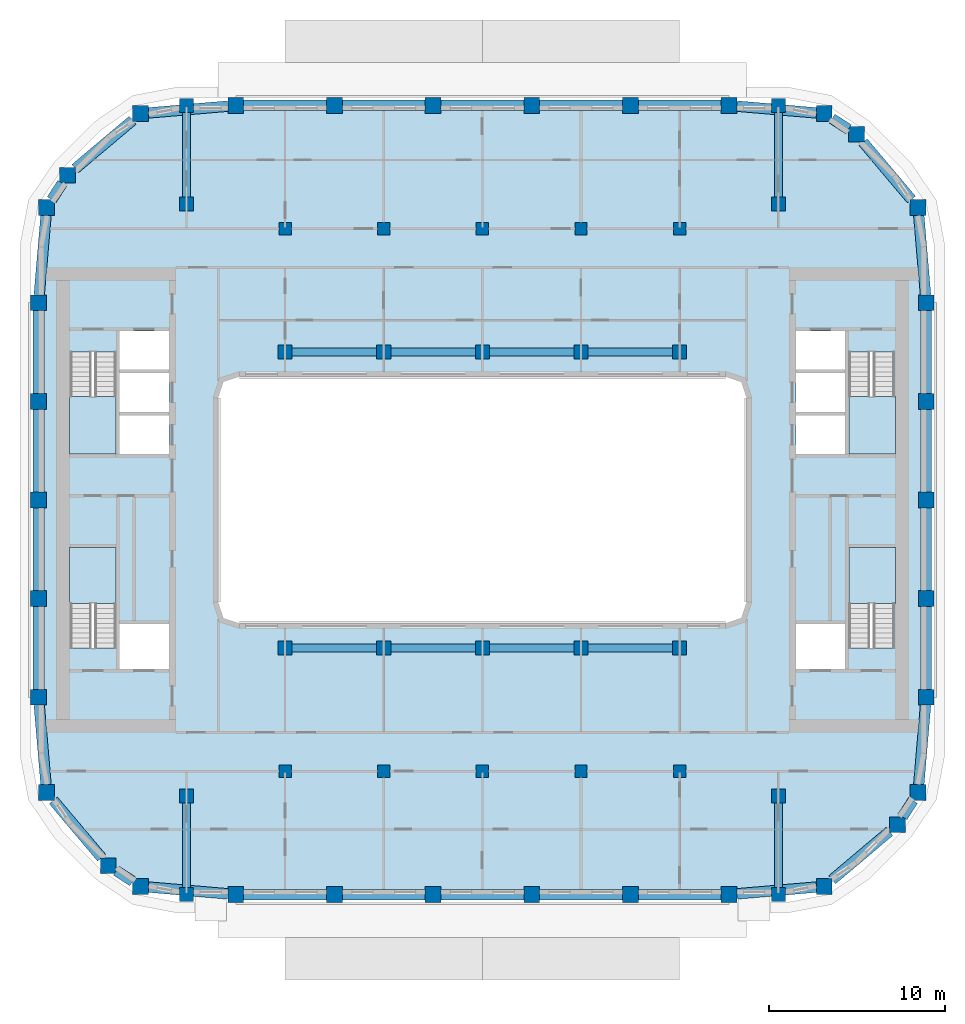
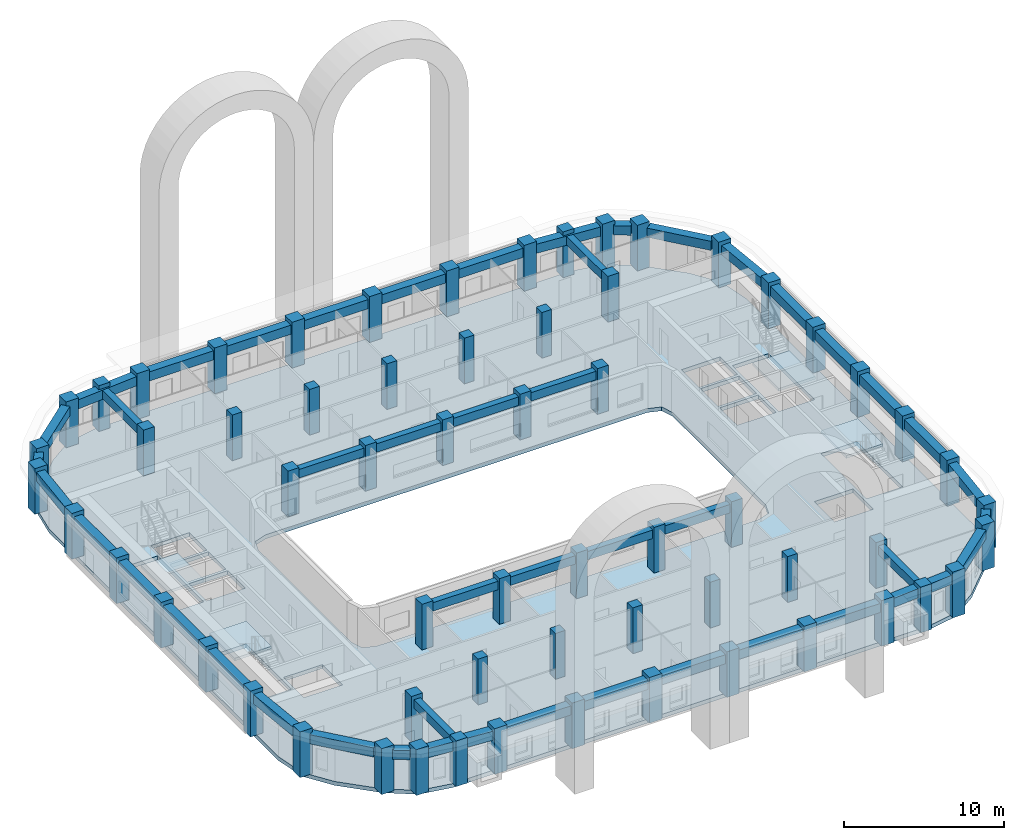
# One storey, part 1 of 18: 62 columns, 46 beams, 5 slabs, 4 elements without a shape of their own.
"""IFC4 building model written with IfcOpenShell, lengths in metres."""

from ifc_helpers import new_model, si_unit, direction, frame, origin, origin_2d, place, context, subcontext, project, spatial, polyline, rectangle, outline, extrude, material, layer, layer_set, material_profile, profile_set, type_object, element, aggregate, save


model = new_model("IFC4")

# Units and contexts
model_context = context("Model", 3, precision=1e-05, world=origin(), true_north=direction((0.0, 1.0)))
body_context = subcontext(model_context, "Body", "Model", "MODEL_VIEW")
ifc_project = project(units=[si_unit("LENGTHUNIT", "METRE"), si_unit("AREAUNIT", "SQUARE_METRE"), si_unit("VOLUMEUNIT", "CUBIC_METRE"), si_unit("PLANEANGLEUNIT", "RADIAN"), si_unit("MASSUNIT", "GRAM", prefix="KILO")], contexts=[model_context])

# Site, building, storey
site_placement = place(None, origin())
site = spatial("IfcSite", under=ifc_project, at=site_placement, CompositionType="ELEMENT")
building_placement = place(site_placement, origin())
building = spatial("IfcBuilding", under=site, at=building_placement, Name="Kiln Ring Residences", CompositionType="ELEMENT")
storey_placement = place(building_placement, frame((0.0, 0.0, 209.89990234375)))
storey = spatial("IfcBuildingStorey", under=building, at=storey_placement, Name="L54", CompositionType="ELEMENT", Elevation=209.89990234375)

# Columns
ifc_material_1 = material(Name="Concrete C70/85", Category="concrete")
ifc_material_profile_1 = material_profile(ifc_material_1, rectangle(XDim=0.699951171875, YDim=0.699951171875, at=origin_2d()), Name="RC700x700")
ifc_profile_set_1 = profile_set([ifc_material_profile_1], Name="Concrete C70/85")
column_type_1 = type_object("IfcColumnType", Name="Corridor column RC700x700 C70/85", PredefinedType="COLUMN", material=ifc_profile_set_1)
for number, where, z_axis, x_axis, name in (
    (1, (-11.199951171875, 15.39990234375, 0.0), (0.0, 0.0, 1.0), (1.0, 0.0, 0.0), "Corridor column L54 1"),
    (2, (-5.60009765625, 15.39990234375, 0.0), (0.0, 0.0, 1.0), (1.0, 0.0, 0.0), "Corridor column L54 2"),
    (3, (0.0, 15.39990234375, 0.0), (0.0, 0.0, 1.0), (1.0, 0.0, 0.0), "Corridor column L54 3"),
    (4, (5.60009765625, 15.39990234375, 0.0), (0.0, 0.0, 1.0), (1.0, 0.0, 0.0), "Corridor column L54 4"),
    (5, (11.199951171875, 15.39990234375, 0.0), (0.0, 0.0, 1.0), (1.0, 0.0, 0.0), "Corridor column L54 5"),
    (6, (-11.199951171875, -15.39990234375, 0.0), (0.0, 0.0, 1.0), (1.0, 0.0, 0.0), "Corridor column L54 6"),
    (7, (-5.60009765625, -15.39990234375, 0.0), (0.0, 0.0, 1.0), (1.0, 0.0, 0.0), "Corridor column L54 7"),
    (8, (0.0, -15.39990234375, 0.0), (0.0, 0.0, 1.0), (1.0, 0.0, 0.0), "Corridor column L54 8"),
    (9, (5.60009765625, -15.39990234375, 0.0), (0.0, 0.0, 1.0), (1.0, 0.0, 0.0), "Corridor column L54 9"),
    (10, (11.199951171875, -15.39990234375, 0.0), (0.0, 0.0, 1.0), (1.0, 0.0, 0.0), "Corridor column L54 10"),
):
    element("IfcColumn", number, at=place(storey_placement, frame(where, z_axis=z_axis, x_axis=x_axis)), inside=storey, type_object=column_type_1, Name=name, PredefinedType="COLUMN", context=body_context, shape_type="SweptSolid", body=[
        extrude(rectangle(XDim=0.699951171875, YDim=0.699951171875, at=origin_2d()), origin(), (0.0, 0.0, 1.0), 3.5),
    ])
ifc_material_2 = material(Name="Concrete C70/85", Category="concrete")
ifc_material_profile_2 = material_profile(ifc_material_2, rectangle(XDim=0.89990234375, YDim=0.89990234375, at=origin_2d()), Name="RC900x900")
ifc_profile_set_2 = profile_set([ifc_material_profile_2], Name="Concrete C70/85")
column_type_2 = type_object("IfcColumnType", Name="Perimeter column RC900x900 C70/85", PredefinedType="COLUMN", material=ifc_profile_set_2)
for number, where, z_axis, x_axis, name in (
    (11, (-19.40869140625, -21.93798828125, 0.0), (0.0, 0.0, 1.0), (1.0, 0.0, 0.0), "Perimeter column L54 1"),
    (12, (-14.0, -22.39990234375, 0.0), (0.0, 0.0, 1.0), (1.0, 0.0, 0.0), "Perimeter column L54 2"),
    (13, (-8.39990234375, -22.39990234375, 0.0), (0.0, 0.0, 1.0), (1.0, 0.0, 0.0), "Perimeter column L54 3"),
    (14, (-2.800048828125, -22.39990234375, 0.0), (0.0, 0.0, 1.0), (1.0, 0.0, 0.0), "Perimeter column L54 4"),
    (15, (2.800048828125, -22.39990234375, 0.0), (0.0, 0.0, 1.0), (1.0, 0.0, 0.0), "Perimeter column L54 5"),
    (16, (8.39990234375, -22.39990234375, 0.0), (0.0, 0.0, 1.0), (1.0, 0.0, 0.0), "Perimeter column L54 6"),
    (17, (14.0, -22.39990234375, 0.0), (0.0, 0.0, 1.0), (1.0, 0.0, 0.0), "Perimeter column L54 7"),
    (18, (19.40869140625, -21.93798828125, 0.0), (0.0, 0.0, 1.0), (1.0, 0.0, 0.0), "Perimeter column L54 8"),
    (19, (23.559814453125, -18.440185546875, 0.0), (0.0, 0.0, 1.0), (1.0, 0.0, 0.0), "Perimeter column L54 9"),
    (20, (24.738037109375, -16.608642578125, 0.0), (0.0, 0.0, 1.0), (1.0, 0.0, 0.0), "Perimeter column L54 10"),
    (21, (25.199951171875, -11.199951171875, 0.0), (0.0, 0.0, 1.0), (1.0, 0.0, 0.0), "Perimeter column L54 11"),
    (22, (25.199951171875, -5.60009765625, 0.0), (0.0, 0.0, 1.0), (1.0, 0.0, 0.0), "Perimeter column L54 12"),
    (23, (25.199951171875, 0.0, 0.0), (0.0, 0.0, 1.0), (1.0, 0.0, 0.0), "Perimeter column L54 13"),
    (24, (25.199951171875, 5.60009765625, 0.0), (0.0, 0.0, 1.0), (1.0, 0.0, 0.0), "Perimeter column L54 14"),
    (25, (25.199951171875, 11.199951171875, 0.0), (0.0, 0.0, 1.0), (1.0, 0.0, 0.0), "Perimeter column L54 15"),
    (26, (24.738037109375, 16.608642578125, 0.0), (0.0, 0.0, 1.0), (1.0, 0.0, 0.0), "Perimeter column L54 16"),
    (27, (21.240234375, 20.759765625, 0.0), (0.0, 0.0, 1.0), (1.0, 0.0, 0.0), "Perimeter column L54 17"),
    (28, (19.40869140625, 21.93798828125, 0.0), (0.0, 0.0, 1.0), (1.0, 0.0, 0.0), "Perimeter column L54 18"),
    (29, (14.0, 22.39990234375, 0.0), (0.0, 0.0, 1.0), (1.0, 0.0, 0.0), "Perimeter column L54 19"),
    (30, (8.39990234375, 22.39990234375, 0.0), (0.0, 0.0, 1.0), (1.0, 0.0, 0.0), "Perimeter column L54 20"),
    (31, (2.800048828125, 22.39990234375, 0.0), (0.0, 0.0, 1.0), (1.0, 0.0, 0.0), "Perimeter column L54 21"),
    (32, (-2.800048828125, 22.39990234375, 0.0), (0.0, 0.0, 1.0), (1.0, 0.0, 0.0), "Perimeter column L54 22"),
    (33, (-8.39990234375, 22.39990234375, 0.0), (0.0, 0.0, 1.0), (1.0, 0.0, 0.0), "Perimeter column L54 23"),
    (34, (-14.0, 22.39990234375, 0.0), (0.0, 0.0, 1.0), (1.0, 0.0, 0.0), "Perimeter column L54 24"),
    (35, (-19.40869140625, 21.93798828125, 0.0), (0.0, 0.0, 1.0), (1.0, 0.0, 0.0), "Perimeter column L54 25"),
    (36, (-23.559814453125, 18.440185546875, 0.0), (0.0, 0.0, 1.0), (1.0, 0.0, 0.0), "Perimeter column L54 26"),
    (37, (-24.738037109375, 16.608642578125, 0.0), (0.0, 0.0, 1.0), (1.0, 0.0, 0.0), "Perimeter column L54 27"),
    (38, (-25.199951171875, 11.199951171875, 0.0), (0.0, 0.0, 1.0), (1.0, 0.0, 0.0), "Perimeter column L54 28"),
    (39, (-25.199951171875, 5.60009765625, 0.0), (0.0, 0.0, 1.0), (1.0, 0.0, 0.0), "Perimeter column L54 29"),
    (40, (-25.199951171875, 0.0, 0.0), (0.0, 0.0, 1.0), (1.0, 0.0, 0.0), "Perimeter column L54 30"),
    (41, (-25.199951171875, -5.60009765625, 0.0), (0.0, 0.0, 1.0), (1.0, 0.0, 0.0), "Perimeter column L54 31"),
    (42, (-25.199951171875, -11.199951171875, 0.0), (0.0, 0.0, 1.0), (1.0, 0.0, 0.0), "Perimeter column L54 32"),
    (43, (-24.738037109375, -16.608642578125, 0.0), (0.0, 0.0, 1.0), (1.0, 0.0, 0.0), "Perimeter column L54 33"),
    (44, (-21.240234375, -20.759765625, 0.0), (0.0, 0.0, 1.0), (1.0, 0.0, 0.0), "Perimeter column L54 34"),
):
    element("IfcColumn", number, at=place(storey_placement, frame(where, z_axis=z_axis, x_axis=x_axis)), inside=storey, type_object=column_type_2, Name=name, PredefinedType="COLUMN", context=body_context, shape_type="SweptSolid", body=[
        extrude(rectangle(XDim=0.89990234375, YDim=0.89990234375, at=origin_2d()), origin(), (0.0, 0.0, 1.0), 3.5),
    ])
ifc_material_3 = material(Name="Concrete C70/85", Category="concrete")
ifc_material_profile_3 = material_profile(ifc_material_3, rectangle(XDim=0.800048828125, YDim=0.800048828125, at=origin_2d()), Name="RC800x800")
ifc_profile_set_3 = profile_set([ifc_material_profile_3], Name="Concrete C70/85")
column_type_3 = type_object("IfcColumnType", Name="Ring column RC800x800 C70/85", PredefinedType="COLUMN", material=ifc_profile_set_3)
for number, where, z_axis, x_axis, name in (
    (45, (-16.800048828125, -22.39990234375, 0.0), (0.0, 0.0, 1.0), (1.0, 0.0, 0.0), "Ring column L54 1"),
    (46, (-16.800048828125, -16.800048828125, 0.0), (0.0, 0.0, 1.0), (1.0, 0.0, 0.0), "Ring column L54 2"),
    (47, (-16.800048828125, 16.800048828125, 0.0), (0.0, 0.0, 1.0), (1.0, 0.0, 0.0), "Ring column L54 3"),
    (48, (-16.800048828125, 22.39990234375, 0.0), (0.0, 0.0, 1.0), (1.0, 0.0, 0.0), "Ring column L54 4"),
    (49, (-11.199951171875, -8.39990234375, 0.0), (0.0, 0.0, 1.0), (1.0, 0.0, 0.0), "Ring column L54 5"),
    (50, (-11.199951171875, 8.39990234375, 0.0), (0.0, 0.0, 1.0), (1.0, 0.0, 0.0), "Ring column L54 6"),
    (51, (-5.60009765625, -8.39990234375, 0.0), (0.0, 0.0, 1.0), (1.0, 0.0, 0.0), "Ring column L54 7"),
    (52, (-5.60009765625, 8.39990234375, 0.0), (0.0, 0.0, 1.0), (1.0, 0.0, 0.0), "Ring column L54 8"),
    (53, (0.0, -8.39990234375, 0.0), (0.0, 0.0, 1.0), (1.0, 0.0, 0.0), "Ring column L54 9"),
    (54, (0.0, 8.39990234375, 0.0), (0.0, 0.0, 1.0), (1.0, 0.0, 0.0), "Ring column L54 10"),
    (55, (5.60009765625, -8.39990234375, 0.0), (0.0, 0.0, 1.0), (1.0, 0.0, 0.0), "Ring column L54 11"),
    (56, (5.60009765625, 8.39990234375, 0.0), (0.0, 0.0, 1.0), (1.0, 0.0, 0.0), "Ring column L54 12"),
    (57, (11.199951171875, -8.39990234375, 0.0), (0.0, 0.0, 1.0), (1.0, 0.0, 0.0), "Ring column L54 13"),
    (58, (11.199951171875, 8.39990234375, 0.0), (0.0, 0.0, 1.0), (1.0, 0.0, 0.0), "Ring column L54 14"),
    (59, (16.800048828125, -22.39990234375, 0.0), (0.0, 0.0, 1.0), (1.0, 0.0, 0.0), "Ring column L54 15"),
    (60, (16.800048828125, -16.800048828125, 0.0), (0.0, 0.0, 1.0), (1.0, 0.0, 0.0), "Ring column L54 16"),
    (61, (16.800048828125, 16.800048828125, 0.0), (0.0, 0.0, 1.0), (1.0, 0.0, 0.0), "Ring column L54 17"),
    (62, (16.800048828125, 22.39990234375, 0.0), (0.0, 0.0, 1.0), (1.0, 0.0, 0.0), "Ring column L54 18"),
):
    element("IfcColumn", number, at=place(storey_placement, frame(where, z_axis=z_axis, x_axis=x_axis)), inside=storey, type_object=column_type_3, Name=name, PredefinedType="COLUMN", context=body_context, shape_type="SweptSolid", body=[
        extrude(rectangle(XDim=0.800048828125, YDim=0.800048828125, at=origin_2d()), origin(), (0.0, 0.0, 1.0), 3.5),
    ])

# Beams
ifc_material_4 = material(Name="Concrete C50/60", Category="concrete")
ifc_material_profile_4 = material_profile(ifc_material_4, rectangle(XDim=0.449951171875, YDim=0.64990234375, at=origin_2d()), Name="RC450x650")
ifc_profile_set_4 = profile_set([ifc_material_profile_4], Name="Concrete C50/60")
beam_type_1 = type_object("IfcBeamType", Name="Ring beam RC450x650 C50/60", PredefinedType="BEAM", material=ifc_profile_set_4)
for number, where, z_axis, x_axis, name in (
    (63, (-10.800048828125, -8.39990234375, 2.875), (1.0, 0.0, 0.0), (0.0, 1.0, 0.0), "Ring beam L54 1"),
    (64, (-5.199951171875, -8.39990234375, 2.875), (1.0, 0.0, 0.0), (0.0, 1.0, 0.0), "Ring beam L54 2"),
    (65, (0.39990234375, -8.39990234375, 2.875), (1.0, 0.0, 0.0), (0.0, 1.0, 0.0), "Ring beam L54 3"),
    (66, (6.0, -8.39990234375, 2.875), (1.0, 0.0, 0.0), (0.0, 1.0, 0.0), "Ring beam L54 4"),
    (67, (-10.800048828125, 8.39990234375, 2.875), (1.0, 0.0, 0.0), (0.0, 1.0, 0.0), "Ring beam L54 5"),
    (68, (-5.199951171875, 8.39990234375, 2.875), (1.0, 0.0, 0.0), (0.0, 1.0, 0.0), "Ring beam L54 6"),
    (69, (0.39990234375, 8.39990234375, 2.875), (1.0, 0.0, 0.0), (0.0, 1.0, 0.0), "Ring beam L54 7"),
    (70, (6.0, 8.39990234375, 2.875), (1.0, 0.0, 0.0), (0.0, 1.0, 0.0), "Ring beam L54 8"),
    (71, (-16.800048828125, -17.199951171875, 2.875), (0.0, -1.0, 0.0), (1.0, 0.0, 0.0), "Ring beam L54 9"),
    (72, (-16.800048828125, 17.199951171875, 2.875), (0.0, 1.0, 0.0), (-1.0, 0.0, 0.0), "Ring beam L54 10"),
    (73, (16.800048828125, -17.199951171875, 2.875), (0.0, -1.0, 0.0), (1.0, 0.0, 0.0), "Ring beam L54 11"),
    (74, (16.800048828125, 17.199951171875, 2.875), (0.0, 1.0, 0.0), (-1.0, 0.0, 0.0), "Ring beam L54 12"),
):
    element("IfcBeam", number, at=place(storey_placement, frame(where, z_axis=z_axis, x_axis=x_axis)), inside=storey, type_object=beam_type_1, Name=name, PredefinedType="BEAM", context=body_context, shape_type="SweptSolid", body=[
        extrude(rectangle(XDim=0.449951171875, YDim=0.64990234375, at=origin_2d()), origin(), (0.0, 0.0, 1.0), 4.800048828125),
    ])
ifc_material_5 = material(Name="Concrete C50/60", Category="concrete")
ifc_material_profile_5 = material_profile(ifc_material_5, rectangle(XDim=0.60009765625, YDim=0.699951171875, at=origin_2d()), Name="RC600x700")
ifc_profile_set_5 = profile_set([ifc_material_profile_5], Name="Concrete C50/60")
beam_type_2 = type_object("IfcBeamType", Name="Spandrel beam RC600x700 C50/60", PredefinedType="SPANDREL", material=ifc_profile_set_5)
beam_1_placement = place(storey_placement, frame((-18.958740234375, -21.9765625, 2.85009765625), z_axis=(0.996374010608, -0.085081319836, 0.0), x_axis=(0.085081319836, 0.996374010608, 0.0)))
element("IfcBeam", 75, at=beam_1_placement, inside=storey, type_object=beam_type_2, Name="Spandrel beam L54 1", PredefinedType="SPANDREL", context=body_context, shape_type="SweptSolid", body=[
    extrude(rectangle(XDim=0.60009765625, YDim=0.699951171875, at=origin_2d()), origin(), (0.0, 0.0, 1.0), 4.525146484375),
])
for number, where, z_axis, x_axis, name in (
    (76, (-13.550048828125, -22.39990234375, 2.85009765625), (1.0, 0.0, 0.0), (0.0, 1.0, 0.0), "Spandrel beam L54 2"),
    (77, (-7.949951171875, -22.39990234375, 2.85009765625), (1.0, 0.0, 0.0), (0.0, 1.0, 0.0), "Spandrel beam L54 3"),
):
    element("IfcBeam", number, at=place(storey_placement, frame(where, z_axis=z_axis, x_axis=x_axis)), inside=storey, type_object=beam_type_2, Name=name, PredefinedType="SPANDREL", context=body_context, shape_type="SweptSolid", body=[
        extrude(rectangle(XDim=0.60009765625, YDim=0.699951171875, at=origin_2d()), origin(), (0.0, 0.0, 1.0), 4.699951171875),
    ])
beam_2_placement = place(storey_placement, frame((-2.35009765625, -22.39990234375, 2.85009765625), z_axis=(1.0, 0.0, 0.0), x_axis=(0.0, 1.0, 0.0)))
element("IfcBeam", 78, at=beam_2_placement, inside=storey, type_object=beam_type_2, Name="Spandrel beam L54 4", PredefinedType="SPANDREL", context=body_context, shape_type="SweptSolid", body=[
    extrude(rectangle(XDim=0.60009765625, YDim=0.699951171875, at=origin_2d()), origin(), (0.0, 0.0, 1.0), 4.7001953125),
])
for number, where, z_axis, x_axis, name in (
    (79, (3.25, -22.39990234375, 2.85009765625), (1.0, 0.0, 0.0), (0.0, 1.0, 0.0), "Spandrel beam L54 5"),
    (80, (8.85009765625, -22.39990234375, 2.85009765625), (1.0, 0.0, 0.0), (0.0, 1.0, 0.0), "Spandrel beam L54 6"),
):
    element("IfcBeam", number, at=place(storey_placement, frame(where, z_axis=z_axis, x_axis=x_axis)), inside=storey, type_object=beam_type_2, Name=name, PredefinedType="SPANDREL", context=body_context, shape_type="SweptSolid", body=[
        extrude(rectangle(XDim=0.60009765625, YDim=0.699951171875, at=origin_2d()), origin(), (0.0, 0.0, 1.0), 4.699951171875),
    ])
beam_3_placement = place(storey_placement, frame((14.449951171875, -22.361572265625, 2.85009765625), z_axis=(0.996374010608, 0.085081319836, 0.0), x_axis=(-0.085081319836, 0.996374010608, 0.0)))
element("IfcBeam", 81, at=beam_3_placement, inside=storey, type_object=beam_type_2, Name="Spandrel beam L54 7", PredefinedType="SPANDREL", context=body_context, shape_type="SweptSolid", body=[
    extrude(rectangle(XDim=0.60009765625, YDim=0.699951171875, at=origin_2d()), origin(), (0.0, 0.0, 1.0), 4.525146484375),
])
beam_4_placement = place(storey_placement, frame((19.858642578125, -21.558837890625, 2.85009765625), z_axis=(0.764722045893, 0.644360297136, 0.0), x_axis=(-0.644360297136, 0.764722045893, 0.0)))
element("IfcBeam", 82, at=beam_4_placement, inside=storey, type_object=beam_type_2, Name="Spandrel beam L54 8", PredefinedType="SPANDREL", context=body_context, shape_type="SweptSolid", body=[
    extrude(rectangle(XDim=0.60009765625, YDim=0.699951171875, at=origin_2d()), origin(), (0.0, 0.0, 1.0), 4.25146484375),
])
beam_5_placement = place(storey_placement, frame((23.849365234375, -17.990234375, 2.85009765625), z_axis=(0.540891264019, 0.841092527911, 0.0), x_axis=(-0.841092527911, 0.540891264019, 0.0)))
element("IfcBeam", 83, at=beam_5_placement, inside=storey, type_object=beam_type_2, Name="Spandrel beam L54 9", PredefinedType="SPANDREL", context=body_context, shape_type="SweptSolid", body=[
    extrude(rectangle(XDim=0.60009765625, YDim=0.699951171875, at=origin_2d()), origin(), (0.0, 0.0, 1.0), 1.107666015625),
])
beam_6_placement = place(storey_placement, frame((24.776611328125, -16.15869140625, 2.85009765625), z_axis=(0.085081319836, 0.996374010608, 0.0), x_axis=(-0.996374010608, 0.085081319836, 0.0)))
element("IfcBeam", 84, at=beam_6_placement, inside=storey, type_object=beam_type_2, Name="Spandrel beam L54 10", PredefinedType="SPANDREL", context=body_context, shape_type="SweptSolid", body=[
    extrude(rectangle(XDim=0.60009765625, YDim=0.699951171875, at=origin_2d()), origin(), (0.0, 0.0, 1.0), 4.525146484375),
])
for number, where, z_axis, x_axis, name in (
    (85, (25.199951171875, -10.75, 2.85009765625), (0.0, 1.0, 0.0), (-1.0, 0.0, 0.0), "Spandrel beam L54 11"),
    (86, (25.199951171875, -5.14990234375, 2.85009765625), (0.0, 1.0, 0.0), (-1.0, 0.0, 0.0), "Spandrel beam L54 12"),
    (87, (25.199951171875, 0.449951171875, 2.85009765625), (0.0, 1.0, 0.0), (-1.0, 0.0, 0.0), "Spandrel beam L54 13"),
    (88, (25.199951171875, 6.050048828125, 2.85009765625), (0.0, 1.0, 0.0), (-1.0, 0.0, 0.0), "Spandrel beam L54 14"),
):
    element("IfcBeam", number, at=place(storey_placement, frame(where, z_axis=z_axis, x_axis=x_axis)), inside=storey, type_object=beam_type_2, Name=name, PredefinedType="SPANDREL", context=body_context, shape_type="SweptSolid", body=[
        extrude(rectangle(XDim=0.60009765625, YDim=0.699951171875, at=origin_2d()), origin(), (0.0, 0.0, 1.0), 4.699951171875),
    ])
beam_7_placement = place(storey_placement, frame((25.16162109375, 11.64990234375, 2.85009765625), z_axis=(-0.085081319836, 0.996374010608, 0.0), x_axis=(-0.996374010608, -0.085081319836, 0.0)))
element("IfcBeam", 89, at=beam_7_placement, inside=storey, type_object=beam_type_2, Name="Spandrel beam L54 15", PredefinedType="SPANDREL", context=body_context, shape_type="SweptSolid", body=[
    extrude(rectangle(XDim=0.60009765625, YDim=0.699951171875, at=origin_2d()), origin(), (0.0, 0.0, 1.0), 4.525146484375),
])
beam_8_placement = place(storey_placement, frame((24.35888671875, 17.05859375, 2.85009765625), z_axis=(-0.644360297136, 0.764722045893, 0.0), x_axis=(-0.764722045893, -0.644360297136, 0.0)))
element("IfcBeam", 90, at=beam_8_placement, inside=storey, type_object=beam_type_2, Name="Spandrel beam L54 16", PredefinedType="SPANDREL", context=body_context, shape_type="SweptSolid", body=[
    extrude(rectangle(XDim=0.60009765625, YDim=0.699951171875, at=origin_2d()), origin(), (0.0, 0.0, 1.0), 4.25146484375),
])
beam_9_placement = place(storey_placement, frame((20.790283203125, 21.04931640625, 2.85009765625), z_axis=(-0.840992251229, 0.541047163723, 0.0), x_axis=(-0.541047163723, -0.840992251229, 0.0)))
element("IfcBeam", 91, at=beam_9_placement, inside=storey, type_object=beam_type_2, Name="Spandrel beam L54 17", PredefinedType="SPANDREL", context=body_context, shape_type="SweptSolid", body=[
    extrude(rectangle(XDim=0.60009765625, YDim=0.699951171875, at=origin_2d()), origin(), (0.0, 0.0, 1.0), 1.107666015625),
])
beam_10_placement = place(storey_placement, frame((18.958740234375, 21.9765625, 2.85009765625), z_axis=(-0.996374010608, 0.085081319836, 0.0), x_axis=(-0.085081319836, -0.996374010608, 0.0)))
element("IfcBeam", 92, at=beam_10_placement, inside=storey, type_object=beam_type_2, Name="Spandrel beam L54 18", PredefinedType="SPANDREL", context=body_context, shape_type="SweptSolid", body=[
    extrude(rectangle(XDim=0.60009765625, YDim=0.699951171875, at=origin_2d()), origin(), (0.0, 0.0, 1.0), 4.525146484375),
])
for number, where, z_axis, x_axis, name in (
    (93, (13.550048828125, 22.39990234375, 2.85009765625), (-1.0, 0.0, 0.0), (0.0, -1.0, 0.0), "Spandrel beam L54 19"),
    (94, (7.949951171875, 22.39990234375, 2.85009765625), (-1.0, 0.0, 0.0), (0.0, -1.0, 0.0), "Spandrel beam L54 20"),
):
    element("IfcBeam", number, at=place(storey_placement, frame(where, z_axis=z_axis, x_axis=x_axis)), inside=storey, type_object=beam_type_2, Name=name, PredefinedType="SPANDREL", context=body_context, shape_type="SweptSolid", body=[
        extrude(rectangle(XDim=0.60009765625, YDim=0.699951171875, at=origin_2d()), origin(), (0.0, 0.0, 1.0), 4.699951171875),
    ])
beam_11_placement = place(storey_placement, frame((2.35009765625, 22.39990234375, 2.85009765625), z_axis=(-1.0, 0.0, 0.0), x_axis=(0.0, -1.0, 0.0)))
element("IfcBeam", 95, at=beam_11_placement, inside=storey, type_object=beam_type_2, Name="Spandrel beam L54 21", PredefinedType="SPANDREL", context=body_context, shape_type="SweptSolid", body=[
    extrude(rectangle(XDim=0.60009765625, YDim=0.699951171875, at=origin_2d()), origin(), (0.0, 0.0, 1.0), 4.7001953125),
])
for number, where, z_axis, x_axis, name in (
    (96, (-3.25, 22.39990234375, 2.85009765625), (-1.0, 0.0, 0.0), (0.0, -1.0, 0.0), "Spandrel beam L54 22"),
    (97, (-8.85009765625, 22.39990234375, 2.85009765625), (-1.0, 0.0, 0.0), (0.0, -1.0, 0.0), "Spandrel beam L54 23"),
):
    element("IfcBeam", number, at=place(storey_placement, frame(where, z_axis=z_axis, x_axis=x_axis)), inside=storey, type_object=beam_type_2, Name=name, PredefinedType="SPANDREL", context=body_context, shape_type="SweptSolid", body=[
        extrude(rectangle(XDim=0.60009765625, YDim=0.699951171875, at=origin_2d()), origin(), (0.0, 0.0, 1.0), 4.699951171875),
    ])
beam_12_placement = place(storey_placement, frame((-14.449951171875, 22.361572265625, 2.85009765625), z_axis=(-0.996374010608, -0.085081319836, 0.0), x_axis=(0.085081319836, -0.996374010608, 0.0)))
element("IfcBeam", 98, at=beam_12_placement, inside=storey, type_object=beam_type_2, Name="Spandrel beam L54 24", PredefinedType="SPANDREL", context=body_context, shape_type="SweptSolid", body=[
    extrude(rectangle(XDim=0.60009765625, YDim=0.699951171875, at=origin_2d()), origin(), (0.0, 0.0, 1.0), 4.525146484375),
])
beam_13_placement = place(storey_placement, frame((-19.858642578125, 21.558837890625, 2.85009765625), z_axis=(-0.764722045893, -0.644360297136, 0.0), x_axis=(0.644360297136, -0.764722045893, 0.0)))
element("IfcBeam", 99, at=beam_13_placement, inside=storey, type_object=beam_type_2, Name="Spandrel beam L54 25", PredefinedType="SPANDREL", context=body_context, shape_type="SweptSolid", body=[
    extrude(rectangle(XDim=0.60009765625, YDim=0.699951171875, at=origin_2d()), origin(), (0.0, 0.0, 1.0), 4.25146484375),
])
beam_14_placement = place(storey_placement, frame((-23.849365234375, 17.990234375, 2.85009765625), z_axis=(-0.540891264019, -0.841092527911, 0.0), x_axis=(0.841092527911, -0.540891264019, 0.0)))
element("IfcBeam", 100, at=beam_14_placement, inside=storey, type_object=beam_type_2, Name="Spandrel beam L54 26", PredefinedType="SPANDREL", context=body_context, shape_type="SweptSolid", body=[
    extrude(rectangle(XDim=0.60009765625, YDim=0.699951171875, at=origin_2d()), origin(), (0.0, 0.0, 1.0), 1.107666015625),
])
beam_15_placement = place(storey_placement, frame((-24.776611328125, 16.15869140625, 2.85009765625), z_axis=(-0.085081319836, -0.996374010608, 0.0), x_axis=(0.996374010608, -0.085081319836, 0.0)))
element("IfcBeam", 101, at=beam_15_placement, inside=storey, type_object=beam_type_2, Name="Spandrel beam L54 27", PredefinedType="SPANDREL", context=body_context, shape_type="SweptSolid", body=[
    extrude(rectangle(XDim=0.60009765625, YDim=0.699951171875, at=origin_2d()), origin(), (0.0, 0.0, 1.0), 4.525146484375),
])
for number, where, z_axis, x_axis, name in (
    (102, (-25.199951171875, 10.75, 2.85009765625), (0.0, -1.0, 0.0), (1.0, 0.0, 0.0), "Spandrel beam L54 28"),
    (103, (-25.199951171875, 5.14990234375, 2.85009765625), (0.0, -1.0, 0.0), (1.0, 0.0, 0.0), "Spandrel beam L54 29"),
    (104, (-25.199951171875, -0.449951171875, 2.85009765625), (0.0, -1.0, 0.0), (1.0, 0.0, 0.0), "Spandrel beam L54 30"),
    (105, (-25.199951171875, -6.050048828125, 2.85009765625), (0.0, -1.0, 0.0), (1.0, 0.0, 0.0), "Spandrel beam L54 31"),
):
    element("IfcBeam", number, at=place(storey_placement, frame(where, z_axis=z_axis, x_axis=x_axis)), inside=storey, type_object=beam_type_2, Name=name, PredefinedType="SPANDREL", context=body_context, shape_type="SweptSolid", body=[
        extrude(rectangle(XDim=0.60009765625, YDim=0.699951171875, at=origin_2d()), origin(), (0.0, 0.0, 1.0), 4.699951171875),
    ])
beam_16_placement = place(storey_placement, frame((-25.16162109375, -11.64990234375, 2.85009765625), z_axis=(0.085081319836, -0.996374010608, 0.0), x_axis=(0.996374010608, 0.085081319836, 0.0)))
element("IfcBeam", 106, at=beam_16_placement, inside=storey, type_object=beam_type_2, Name="Spandrel beam L54 32", PredefinedType="SPANDREL", context=body_context, shape_type="SweptSolid", body=[
    extrude(rectangle(XDim=0.60009765625, YDim=0.699951171875, at=origin_2d()), origin(), (0.0, 0.0, 1.0), 4.525146484375),
])
beam_17_placement = place(storey_placement, frame((-24.35888671875, -17.05859375, 2.85009765625), z_axis=(0.644360297136, -0.764722045893, 0.0), x_axis=(0.764722045893, 0.644360297136, 0.0)))
element("IfcBeam", 107, at=beam_17_placement, inside=storey, type_object=beam_type_2, Name="Spandrel beam L54 33", PredefinedType="SPANDREL", context=body_context, shape_type="SweptSolid", body=[
    extrude(rectangle(XDim=0.60009765625, YDim=0.699951171875, at=origin_2d()), origin(), (0.0, 0.0, 1.0), 4.25146484375),
])
beam_18_placement = place(storey_placement, frame((-20.790283203125, -21.04931640625, 2.85009765625), z_axis=(0.840992251229, -0.541047163723, 0.0), x_axis=(0.541047163723, 0.840992251229, 0.0)))
element("IfcBeam", 108, at=beam_18_placement, inside=storey, type_object=beam_type_2, Name="Spandrel beam L54 34", PredefinedType="SPANDREL", context=body_context, shape_type="SweptSolid", body=[
    extrude(rectangle(XDim=0.60009765625, YDim=0.699951171875, at=origin_2d()), origin(), (0.0, 0.0, 1.0), 1.107666015625),
])

# Stair, slab
ifc_material_6 = material(Name="Concrete C40/50", Category="concrete")
stair_type = type_object("IfcStairType", Name="CORE-STAIR", PredefinedType="HALF_TURN_STAIR", material=ifc_material_6)
placement_1 = place(storey_placement, origin())
stair_1 = element("IfcStair", 109, at=placement_1, inside=storey, type_object=stair_type, Name="L54 stair W-STN", PredefinedType="HALF_TURN_STAIR")
ifc_material_7 = material(Name="Concrete C40/50", Category="concrete")
ifc_layer_1 = layer(ifc_material_7, 0.199951171875)
ifc_layer_set_1 = layer_set([ifc_layer_1], Name="CORE-STAIR-LANDING")
slab_type_1 = type_object("IfcSlabType", Name="CORE-STAIR-LANDING", PredefinedType="LANDING", material=ifc_layer_set_1)
placement_2 = place(storey_placement, frame((0.0, 0.0, 1.550048828125)))
slab_1 = element("IfcSlab", 110, at=placement_2, type_object=slab_type_1, Name="W-STN landing 1", PredefinedType="LANDING", context=body_context, shape_type="SweptSolid", body=[
    extrude(outline(polyline([(-23.449951171875, 5.8798828125), (-23.449951171875, 2.60009765625), (-20.800048828125, 2.60009765625), (-20.800048828125, 5.8798828125), (-23.449951171875, 5.8798828125)])), origin(), (0.0, 0.0, 1.0), 0.199951171875),
])
aggregate(stair_1, [slab_1])

stair_2 = element("IfcStair", 111, at=placement_1, inside=storey, type_object=stair_type, Name="L54 stair W-STS", PredefinedType="HALF_TURN_STAIR")
slab_2 = element("IfcSlab", 112, at=placement_2, type_object=slab_type_1, Name="W-STS landing 1", PredefinedType="LANDING", context=body_context, shape_type="SweptSolid", body=[
    extrude(outline(polyline([(-20.800048828125, -5.8798828125), (-20.800048828125, -2.699951171875), (-23.449951171875, -2.699951171875), (-23.449951171875, -5.8798828125), (-20.800048828125, -5.8798828125)])), origin(), (0.0, 0.0, 1.0), 0.199951171875),
])
aggregate(stair_2, [slab_2])

stair_3 = element("IfcStair", 113, at=placement_1, inside=storey, type_object=stair_type, Name="L54 stair E-STN", PredefinedType="HALF_TURN_STAIR")
slab_3 = element("IfcSlab", 114, at=placement_2, type_object=slab_type_1, Name="E-STN landing 1", PredefinedType="LANDING", context=body_context, shape_type="SweptSolid", body=[
    extrude(outline(polyline([(20.800048828125, 5.8798828125), (20.800048828125, 2.60009765625), (23.449951171875, 2.60009765625), (23.449951171875, 5.8798828125), (20.800048828125, 5.8798828125)])), origin(), (0.0, 0.0, 1.0), 0.199951171875),
])
aggregate(stair_3, [slab_3])

stair_4 = element("IfcStair", 115, at=placement_1, inside=storey, type_object=stair_type, Name="L54 stair E-STS", PredefinedType="HALF_TURN_STAIR")
slab_4 = element("IfcSlab", 116, at=placement_2, type_object=slab_type_1, Name="E-STS landing 1", PredefinedType="LANDING", context=body_context, shape_type="SweptSolid", body=[
    extrude(outline(polyline([(23.449951171875, -5.8798828125), (23.449951171875, -2.699951171875), (20.800048828125, -2.699951171875), (20.800048828125, -5.8798828125), (23.449951171875, -5.8798828125)])), origin(), (0.0, 0.0, 1.0), 0.199951171875),
])
aggregate(stair_4, [slab_4])

# Slab
ifc_material_8 = material(Name="Concrete C40/50", Category="concrete")
ifc_layer_2 = layer(ifc_material_8, 0.300048828125)
ifc_layer_set_2 = layer_set([ifc_layer_2], Name="Floor slab 300")
slab_type_2 = type_object("IfcSlabType", Name="Floor slab 300", PredefinedType="FLOOR", material=ifc_layer_set_2)
slab_5_placement = place(storey_placement, frame((0.0, 0.0, -0.2998046875)))
element("IfcSlab", 117, at=slab_5_placement, inside=storey, type_object=slab_type_2, Name="Floor slab L54 1", PredefinedType="FLOOR", context=body_context, shape_type="SweptSolid", body=[
    extrude(outline(polyline([(-23.5029296875, -18.4970703125), (-21.297119140625, -20.702880859375), (-19.42431640625, -21.975830078125), (-17.199951171875, -22.39990234375), (17.199951171875, -22.39990234375), (19.42431640625, -21.975830078125), (21.297119140625, -20.702880859375), (23.5029296875, -18.4970703125), (24.775634765625, -16.624267578125), (25.199951171875, -14.39990234375), (25.199951171875, 14.39990234375), (24.775634765625, 16.624267578125), (23.5029296875, 18.4970703125), (21.297119140625, 20.702880859375), (19.42431640625, 21.975830078125), (17.199951171875, 22.39990234375), (-17.199951171875, 22.39990234375), (-19.42431640625, 21.975830078125), (-21.297119140625, 20.702880859375), (-23.5029296875, 18.4970703125), (-24.775634765625, 16.624267578125), (-25.199951171875, 14.39990234375), (-25.199951171875, -14.39990234375), (-24.775634765625, -16.624267578125), (-23.5029296875, -18.4970703125)]), holes=[polyline([(-14.699951171875, -6.699951171875), (-15.0, -5.800048828125), (-15.0, 5.800048828125), (-14.699951171875, 6.699951171875), (-13.800048828125, 7.0), (13.800048828125, 7.0), (14.699951171875, 6.699951171875), (15.0, 5.800048828125), (15.0, -5.800048828125), (14.699951171875, -6.699951171875), (13.800048828125, -7.0), (-13.800048828125, -7.0), (-14.699951171875, -6.699951171875)]), polyline([(20.800048828125, -8.39794921875), (20.800048828125, -2.699951171875), (23.39990234375, -2.699951171875), (23.39990234375, -8.39794921875), (20.800048828125, -8.39794921875)]), polyline([(23.39990234375, 2.60009765625), (20.800048828125, 2.60009765625), (20.800048828125, 8.39794921875), (23.39990234375, 8.39794921875), (23.39990234375, 2.60009765625)]), polyline([(17.800048828125, 2.60009765625), (17.800048828125, 4.800048828125), (20.60009765625, 4.800048828125), (20.60009765625, 2.60009765625), (17.800048828125, 2.60009765625)]), polyline([(17.800048828125, 5.0), (17.800048828125, 7.199951171875), (20.60009765625, 7.199951171875), (20.60009765625, 5.0), (17.800048828125, 5.0)]), polyline([(17.800048828125, 7.39990234375), (17.800048828125, 9.60009765625), (20.60009765625, 9.60009765625), (20.60009765625, 7.39990234375), (17.800048828125, 7.39990234375)]), polyline([(20.60009765625, -9.60009765625), (17.800048828125, -9.60009765625), (17.800048828125, -7.050048828125), (20.60009765625, -7.050048828125), (20.60009765625, -9.60009765625)]), polyline([(-17.800048828125, -7.050048828125), (-17.800048828125, -9.60009765625), (-20.60009765625, -9.60009765625), (-20.60009765625, -7.050048828125), (-17.800048828125, -7.050048828125)]), polyline([(-17.800048828125, 2.60009765625), (-20.60009765625, 2.60009765625), (-20.60009765625, 4.800048828125), (-17.800048828125, 4.800048828125), (-17.800048828125, 2.60009765625)]), polyline([(-17.800048828125, 5.0), (-20.60009765625, 5.0), (-20.60009765625, 7.199951171875), (-17.800048828125, 7.199951171875), (-17.800048828125, 5.0)]), polyline([(-17.800048828125, 7.39990234375), (-20.60009765625, 7.39990234375), (-20.60009765625, 9.60009765625), (-17.800048828125, 9.60009765625), (-17.800048828125, 7.39990234375)]), polyline([(-20.800048828125, -8.39794921875), (-23.39990234375, -8.39794921875), (-23.39990234375, -2.699951171875), (-20.800048828125, -2.699951171875), (-20.800048828125, -8.39794921875)]), polyline([(-20.800048828125, 8.39794921875), (-20.800048828125, 2.60009765625), (-23.39990234375, 2.60009765625), (-23.39990234375, 8.39794921875), (-20.800048828125, 8.39794921875)])]), origin(), (0.0, 0.0, 1.0), 0.2998046875),
])

save(model, "model.ifc")
